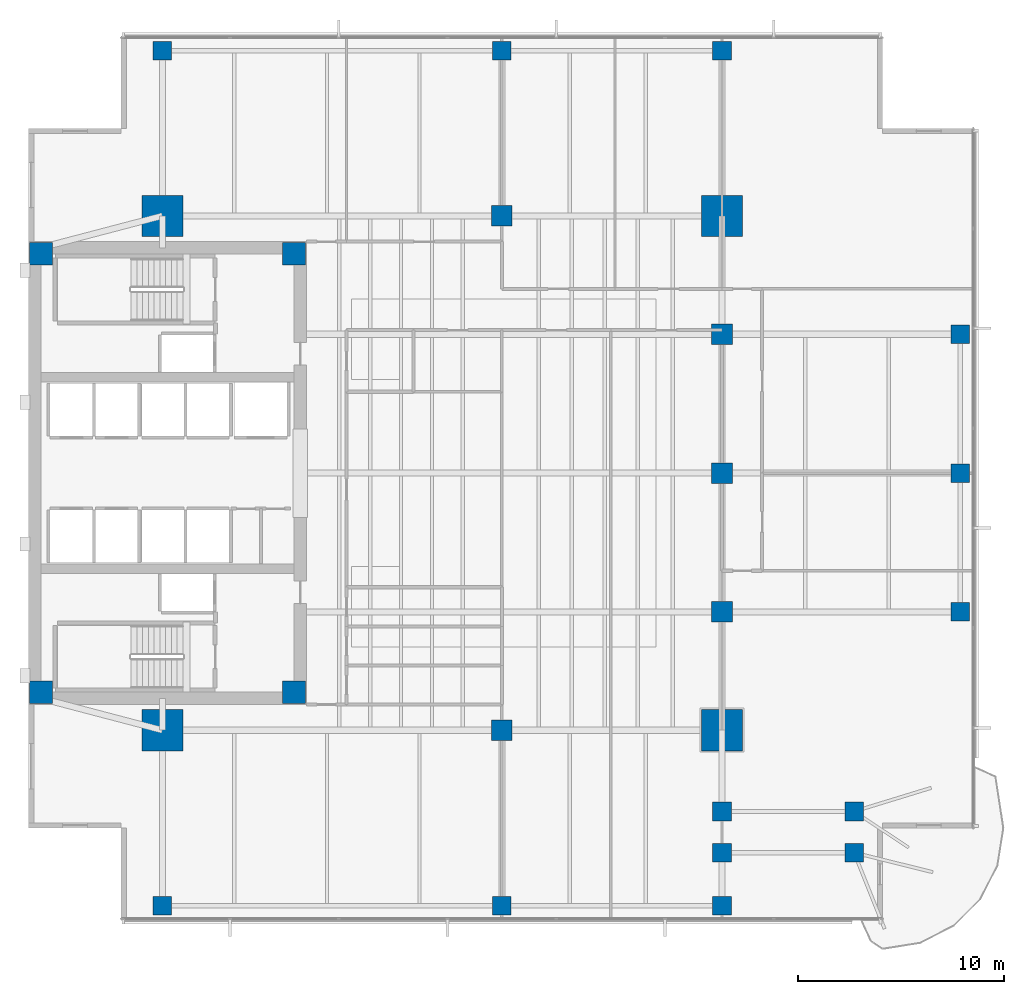
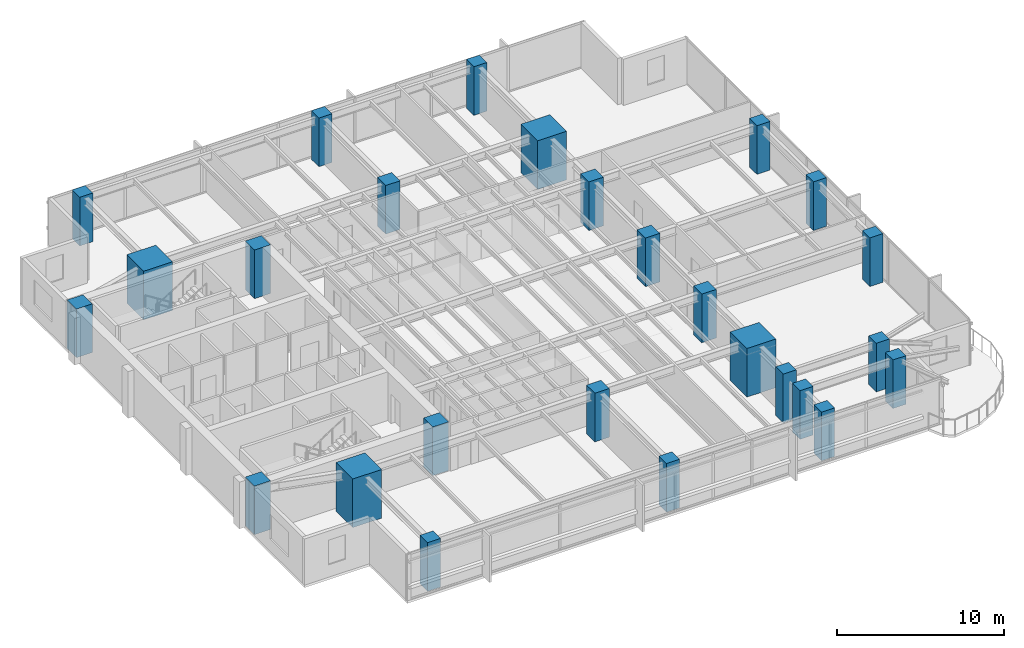
# One storey, part 1 of 14: 26 columns.
"""IFC4 building model written with IfcOpenShell, lengths in metres."""

from ifc_helpers import new_model, si_unit, direction, frame, origin, origin_2d, place, context, subcontext, project, spatial, rectangle, extrude, material, material_profile, profile_set, type_object, element, save


model = new_model("IFC4")

# Units and contexts
model_context = context("Model", 3, precision=1e-05, world=origin(), true_north=direction((0.0, 1.0)))
body_context = subcontext(model_context, "Body", "Model", "MODEL_VIEW")
ifc_project = project(units=[si_unit("LENGTHUNIT", "METRE"), si_unit("AREAUNIT", "SQUARE_METRE"), si_unit("VOLUMEUNIT", "CUBIC_METRE"), si_unit("PLANEANGLEUNIT", "RADIAN"), si_unit("MASSUNIT", "GRAM", prefix="KILO")], contexts=[model_context])

# Site, building, storey
site_placement = place(None, origin())
site = spatial("IfcSite", under=ifc_project, at=site_placement, CompositionType="ELEMENT")
building_placement = place(site_placement, origin())
building = spatial("IfcBuilding", under=site, at=building_placement, Name="Kinhvarn Gate Tower", CompositionType="ELEMENT")
storey_placement = place(building_placement, frame((0.0, 0.0, 116.449951171875)))
storey = spatial("IfcBuildingStorey", under=building, at=storey_placement, Name="L30", CompositionType="ELEMENT", Elevation=116.449951171875)

# Columns
ifc_material = material(Name="Concrete C60/75", Category="concrete")
ifc_material_profile_1 = material_profile(ifc_material, rectangle(XDim=2.0, YDim=2.0, at=origin_2d()), Name="RC 2000x2000")
ifc_profile_set_1 = profile_set([ifc_material_profile_1], Name="Concrete C60/75")
column_type_1 = type_object("IfcColumnType", Name="COL-MC-2000", PredefinedType="COLUMN", material=ifc_profile_set_1)
for number, where, z_axis, x_axis, name in (
    (1, (11.0, 12.75, 0.0), (0.0, 0.0, 1.0), (1.0, 0.0, 0.0), "Column MC1-L30 (MC-20)"),
    (2, (11.0, 37.75, 0.0), (0.0, 0.0, 1.0), (1.0, 0.0, 0.0), "Column MC4-L30 (MC-20)"),
    (3, (38.199951171875, 12.75, 0.0), (0.0, 0.0, 1.0), (1.0, 0.0, 0.0), "Column MC2-L30 (MC-20)"),
    (4, (38.199951171875, 37.75, 0.0), (0.0, 0.0, 1.0), (1.0, 0.0, 0.0), "Column MC3-L30 (MC-20)"),
):
    element("IfcColumn", number, at=place(storey_placement, frame(where, z_axis=z_axis, x_axis=x_axis)), inside=storey, type_object=column_type_1, Name=name, PredefinedType="COLUMN", context=body_context, shape_type="SweptSolid", body=[
        extrude(rectangle(XDim=2.0, YDim=2.0, at=origin_2d()), origin(), (0.0, 0.0, 1.0), 3.550048828125),
    ])
ifc_material_profile_2 = material_profile(ifc_material, rectangle(XDim=1.0, YDim=1.0, at=origin_2d()), Name="RC 1000x1000")
ifc_profile_set_2 = profile_set([ifc_material_profile_2], Name="Concrete C60/75")
column_type_2 = type_object("IfcColumnType", Name="COL-RC-1000", PredefinedType="COLUMN", material=ifc_profile_set_2)
for number, where, z_axis, x_axis, name in (
    (5, (27.5, 12.75, 0.0), (0.0, 0.0, 1.0), (1.0, 0.0, 0.0), "Column SP27-S-L30 (C-100)"),
    (6, (27.5, 37.75, 0.0), (0.0, 0.0, 1.0), (1.0, 0.0, 0.0), "Column SP27-N-L30 (C-100)"),
    (7, (38.199951171875, 18.5, 0.0), (0.0, 0.0, 1.0), (1.0, 0.0, 0.0), "Column SP38-E1-L30 (C-100)"),
    (8, (38.199951171875, 25.25, 0.0), (0.0, 0.0, 1.0), (1.0, 0.0, 0.0), "Column SP38-E2-L30 (C-100)"),
    (9, (38.199951171875, 32.0, 0.0), (0.0, 0.0, 1.0), (1.0, 0.0, 0.0), "Column SP38-E3-L30 (C-100)"),
):
    element("IfcColumn", number, at=place(storey_placement, frame(where, z_axis=z_axis, x_axis=x_axis)), inside=storey, type_object=column_type_2, Name=name, PredefinedType="COLUMN", context=body_context, shape_type="SweptSolid", body=[
        extrude(rectangle(XDim=1.0, YDim=1.0, at=origin_2d()), origin(), (0.0, 0.0, 1.0), 3.550048828125),
    ])
ifc_material_profile_3 = material_profile(ifc_material, rectangle(XDim=0.89990234375, YDim=0.89990234375, at=origin_2d()), Name="RC 900x900")
ifc_profile_set_3 = profile_set([ifc_material_profile_3], Name="Concrete C60/75")
column_type_3 = type_object("IfcColumnType", Name="COL-RC-900", PredefinedType="COLUMN", material=ifc_profile_set_3)
for number, where, z_axis, x_axis, name in (
    (10, (38.199951171875, 6.800048828125, 0.0), (0.0, 0.0, 1.0), (1.0, 0.0, 0.0), "Column CS-ANC68-L30 (C-090)"),
    (11, (38.199951171875, 8.800048828125, 0.0), (0.0, 0.0, 1.0), (1.0, 0.0, 0.0), "Column CS-ANC88-L30 (C-090)"),
    (12, (44.6201171875, 6.800048828125, 0.0), (0.0, 0.0, 1.0), (1.0, 0.0, 0.0), "Column CS-SE2-L30 (C-090)"),
    (13, (44.6201171875, 8.800048828125, 0.0), (0.0, 0.0, 1.0), (1.0, 0.0, 0.0), "Column CS-SE2B-L30 (C-090)"),
    (14, (49.780029296875, 18.5, 0.0), (0.0, 0.0, 1.0), (1.0, 0.0, 0.0), "Column CE-1-L30 (C-090)"),
    (15, (49.780029296875, 25.25, 0.0), (0.0, 0.0, 1.0), (1.0, 0.0, 0.0), "Column CE-2-L30 (C-090)"),
    (16, (49.780029296875, 32.0, 0.0), (0.0, 0.0, 1.0), (1.0, 0.0, 0.0), "Column CE-3-L30 (C-090)"),
    (17, (11.0, 4.219970703125, 0.0), (0.0, 0.0, 1.0), (1.0, 0.0, 0.0), "Column CS-0-L30 (C-090)"),
    (18, (27.5, 4.219970703125, 0.0), (0.0, 0.0, 1.0), (1.0, 0.0, 0.0), "Column CS-1-L30 (C-090)"),
    (19, (38.199951171875, 4.219970703125, 0.0), (0.0, 0.0, 1.0), (1.0, 0.0, 0.0), "Column CS-2-L30 (C-090)"),
    (20, (11.0, 45.780029296875, 0.0), (0.0, 0.0, 1.0), (1.0, 0.0, 0.0), "Column CN-0-L30 (C-090)"),
    (21, (27.5, 45.780029296875, 0.0), (0.0, 0.0, 1.0), (1.0, 0.0, 0.0), "Column CN-1-L30 (C-090)"),
    (22, (38.199951171875, 45.780029296875, 0.0), (0.0, 0.0, 1.0), (1.0, 0.0, 0.0), "Column CN-2-L30 (C-090)"),
):
    element("IfcColumn", number, at=place(storey_placement, frame(where, z_axis=z_axis, x_axis=x_axis)), inside=storey, type_object=column_type_3, Name=name, PredefinedType="COLUMN", context=body_context, shape_type="SweptSolid", body=[
        extrude(rectangle(XDim=0.89990234375, YDim=0.89990234375, at=origin_2d()), origin(), (0.0, 0.0, 1.0), 3.550048828125),
    ])
ifc_material_profile_4 = material_profile(ifc_material, rectangle(XDim=1.10009765625, YDim=1.10009765625, at=origin_2d()), Name="RC 1100x1100")
ifc_profile_set_4 = profile_set([ifc_material_profile_4], Name="Concrete C60/75")
column_type_4 = type_object("IfcColumnType", Name="PIL-RC-1100", PredefinedType="PILASTER", material=ifc_profile_set_4)
for number, where, z_axis, x_axis, name in (
    (23, (5.10009765625, 14.60009765625, 0.0), (0.0, 0.0, 1.0), (1.0, 0.0, 0.0), "Column CC-SW-L30 (CP-110)"),
    (24, (5.10009765625, 35.89990234375, 0.0), (0.0, 0.0, 1.0), (1.0, 0.0, 0.0), "Column CC-NW-L30 (CP-110)"),
    (25, (17.39990234375, 14.60009765625, 0.0), (0.0, 0.0, 1.0), (1.0, 0.0, 0.0), "Column CC-SE-L30 (CP-110)"),
    (26, (17.39990234375, 35.89990234375, 0.0), (0.0, 0.0, 1.0), (1.0, 0.0, 0.0), "Column CC-NE-L30 (CP-110)"),
):
    element("IfcColumn", number, at=place(storey_placement, frame(where, z_axis=z_axis, x_axis=x_axis)), inside=storey, type_object=column_type_4, Name=name, PredefinedType="PILASTER", context=body_context, shape_type="SweptSolid", body=[
        extrude(rectangle(XDim=1.10009765625, YDim=1.10009765625, at=origin_2d()), origin(), (0.0, 0.0, 1.0), 3.550048828125),
    ])

save(model, "model.ifc")
